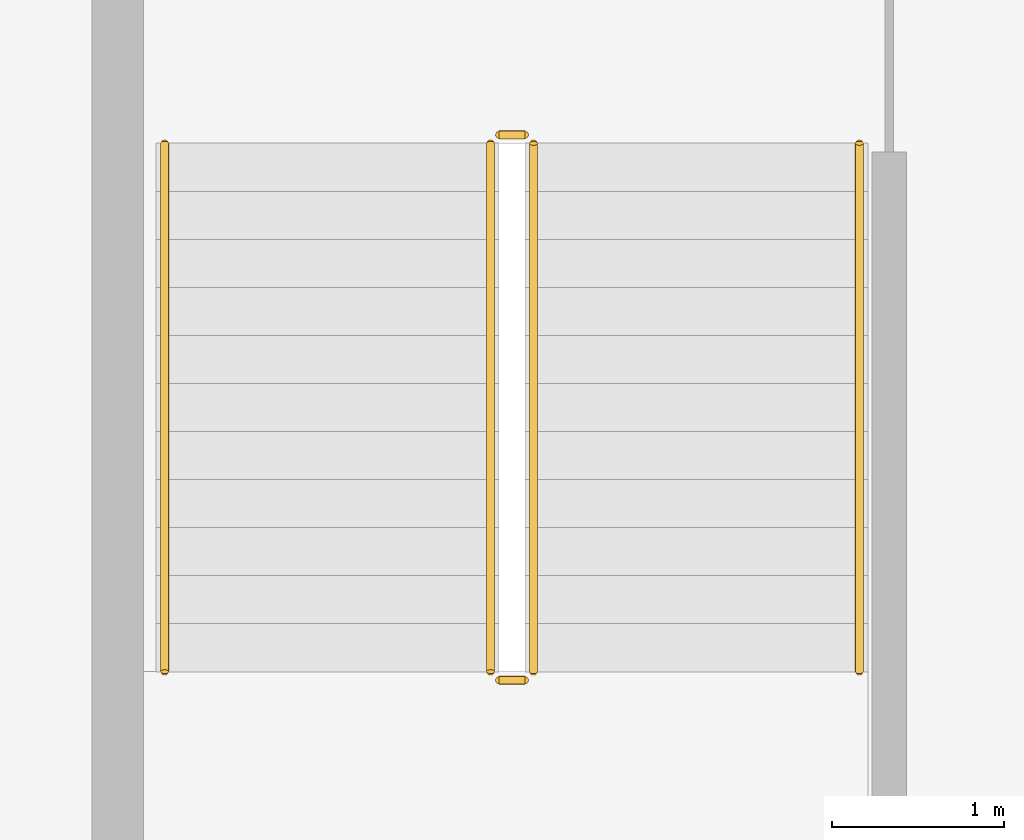
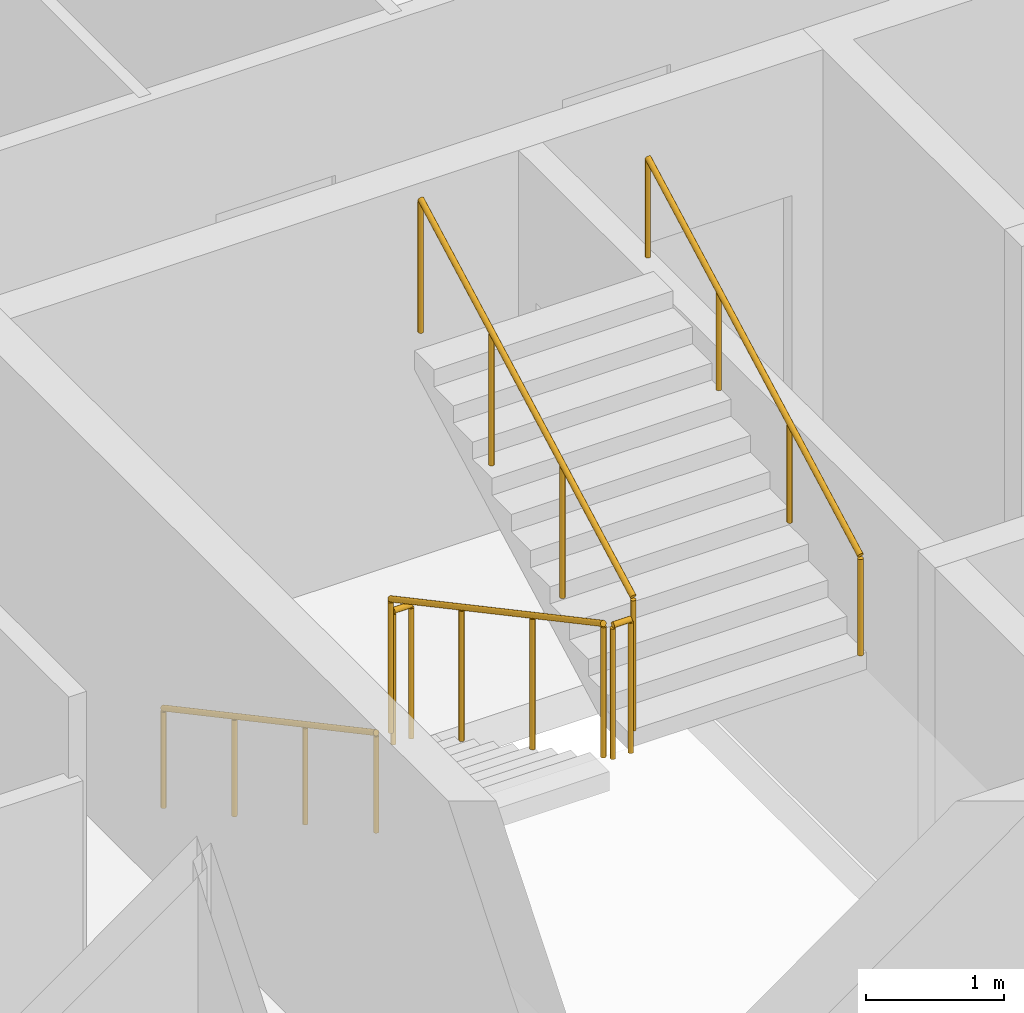
# One storey, part 15 of 17: 6 railings.
"""IFC4 building model written with IfcOpenShell, lengths in metres."""

from ifc_helpers import new_model, si_unit, direction, frame, origin, origin_2d, place, context, subcontext, project, spatial, circle, extrude, material, type_object, element, save


model = new_model("IFC4")

# Units and contexts
model_context = context("Model", 3, precision=1e-05, world=origin(), true_north=direction((0.0, 1.0)))
body_context = subcontext(model_context, "Body", "Model", "MODEL_VIEW")
ifc_project = project(units=[si_unit("LENGTHUNIT", "METRE"), si_unit("AREAUNIT", "SQUARE_METRE"), si_unit("VOLUMEUNIT", "CUBIC_METRE"), si_unit("PLANEANGLEUNIT", "RADIAN"), si_unit("MASSUNIT", "GRAM", prefix="KILO")], contexts=[model_context])

# Site, building, storey
site_placement = place(None, origin())
site = spatial("IfcSite", under=ifc_project, at=site_placement, CompositionType="ELEMENT")
building_placement = place(site_placement, origin())
building = spatial("IfcBuilding", under=site, at=building_placement, Name="Caravel Reach Hotel and Residences", CompositionType="ELEMENT")
storey_placement = place(building_placement, frame((0.0, 0.0, 126.0)))
storey = spatial("IfcBuildingStorey", under=building, at=storey_placement, Name="L31", CompositionType="ELEMENT", Elevation=126.0)

# Railings
ifc_material_1 = material(Name="Steel balustrade with glass infill", Category="steel")
railing_type_1 = type_object("IfcRailingType", Name="Guard 1200", PredefinedType="GUARDRAIL", material=ifc_material_1)
railing_1_placement = place(storey_placement, frame((20.175048828125, 29.35009765625, 0.14990234375)))
element("IfcRailing", 1, at=railing_1_placement, inside=storey, type_object=railing_type_1, Name="L31 ST-A stair guard 1", PredefinedType="GUARDRAIL", context=body_context, shape_type="SweptSolid", body=[
    extrude(circle(Radius=0.02392578125, at=origin_2d()), frame((0.0, 0.0, 1.17578125), z_axis=(0.0, -0.881467505477, 0.472244678941), x_axis=(1.0, 0.0, 0.0)), (0.0, 0.0, 1.0), 3.494140625),
    extrude(circle(Radius=0.02099609375, at=origin_2d()), origin(), (0.0, 0.0, 1.0), 1.15185546875),
    extrude(circle(Radius=0.02099609375, at=origin_2d()), frame((0.0, -1.026611328125, 0.550048828125)), (0.0, 0.0, 1.0), 1.15185546875),
    extrude(circle(Radius=0.02099609375, at=origin_2d()), frame((0.0, -2.053466796875, 1.10009765625)), (0.0, 0.0, 1.0), 1.15185546875),
    extrude(circle(Radius=0.02099609375, at=origin_2d()), frame((0.0, -3.080078125, 1.650146484375)), (0.0, 0.0, 1.0), 1.15185546875),
])
railing_2_placement = place(storey_placement, frame((20.22509765625, 26.219970703125, 1.800048828125)))
element("IfcRailing", 2, at=railing_2_placement, inside=storey, type_object=railing_type_1, Name="L31 ST-A stair guard 2", PredefinedType="GUARDRAIL", context=body_context, shape_type="SweptSolid", body=[
    extrude(circle(Radius=0.02392578125, at=origin_2d()), frame((0.0, 0.0, 1.17578125), z_axis=(1.0, 0.0, 0.0), x_axis=(0.0, 1.0, 0.0)), (0.0, 0.0, 1.0), 0.14990234375),
    extrude(circle(Radius=0.02099609375, at=origin_2d()), origin(), (0.0, 0.0, 1.0), 1.15185546875),
    extrude(circle(Radius=0.02099609375, at=origin_2d()), frame((0.14990234375, 0.0, 0.0)), (0.0, 0.0, 1.0), 1.15185546875),
])
railing_3_placement = place(storey_placement, frame((20.425048828125, 26.27001953125, 1.949951171875)))
element("IfcRailing", 3, at=railing_3_placement, inside=storey, type_object=railing_type_1, Name="L31 ST-A stair guard 3", PredefinedType="GUARDRAIL", context=body_context, shape_type="SweptSolid", body=[
    extrude(circle(Radius=0.02392578125, at=origin_2d()), frame((0.0, 0.0, 1.17578125), z_axis=(0.0, 0.881467505477, 0.472244678941), x_axis=(-1.0, 0.0, 0.0)), (0.0, 0.0, 1.0), 3.494140625),
    extrude(circle(Radius=0.02099609375, at=origin_2d()), origin(), (0.0, 0.0, 1.0), 1.15185546875),
    extrude(circle(Radius=0.02099609375, at=origin_2d()), frame((0.0, 1.026611328125, 0.550048828125)), (0.0, 0.0, 1.0), 1.15185546875),
    extrude(circle(Radius=0.02099609375, at=origin_2d()), frame((0.0, 2.053466796875, 1.10009765625)), (0.0, 0.0, 1.0), 1.15185546875),
    extrude(circle(Radius=0.02099609375, at=origin_2d()), frame((0.0, 3.080078125, 1.650146484375)), (0.0, 0.0, 1.0), 1.15185546875),
])
railing_4_placement = place(storey_placement, frame((20.22509765625, 29.39990234375, 0.0)))
element("IfcRailing", 4, at=railing_4_placement, inside=storey, type_object=railing_type_1, Name="L31 ST-A stair guard 4", PredefinedType="GUARDRAIL", context=body_context, shape_type="SweptSolid", body=[
    extrude(circle(Radius=0.02392578125, at=origin_2d()), frame((0.0, 0.0, 1.17578125), z_axis=(1.0, 0.0, 0.0), x_axis=(0.0, 1.0, 0.0)), (0.0, 0.0, 1.0), 0.14990234375),
    extrude(circle(Radius=0.02099609375, at=origin_2d()), origin(), (0.0, 0.0, 1.0), 1.15185546875),
    extrude(circle(Radius=0.02099609375, at=origin_2d()), frame((0.14990234375, 0.0, 0.0)), (0.0, 0.0, 1.0), 1.15185546875),
])
ifc_material_2 = material(Name="Stainless steel handrail", Category="steel")
railing_type_2 = type_object("IfcRailingType", Name="Handrail 900", PredefinedType="HANDRAIL", material=ifc_material_2)
railing_5_placement = place(storey_placement, frame((18.27490234375, 29.35009765625, 0.14990234375)))
element("IfcRailing", 5, at=railing_5_placement, inside=storey, type_object=railing_type_2, Name="L31 ST-A stair handrail 1", PredefinedType="HANDRAIL", context=body_context, shape_type="SweptSolid", body=[
    extrude(circle(Radius=0.02392578125, at=origin_2d()), frame((0.0, 0.0, 0.8759765625), z_axis=(0.0, -0.881467505477, 0.472244678941), x_axis=(1.0, 0.0, 0.0)), (0.0, 0.0, 1.0), 3.494140625),
    extrude(circle(Radius=0.02099609375, at=origin_2d()), origin(), (0.0, 0.0, 1.0), 0.851806640625),
    extrude(circle(Radius=0.02099609375, at=origin_2d()), frame((0.0, -1.026611328125, 0.550048828125)), (0.0, 0.0, 1.0), 0.851806640625),
    extrude(circle(Radius=0.02099609375, at=origin_2d()), frame((0.0, -2.053466796875, 1.10009765625)), (0.0, 0.0, 1.0), 0.851806640625),
    extrude(circle(Radius=0.02099609375, at=origin_2d()), frame((0.0, -3.080078125, 1.650146484375)), (0.0, 0.0, 1.0), 0.851806640625),
])
railing_6_placement = place(storey_placement, frame((22.324951171875, 26.27001953125, 1.949951171875)))
element("IfcRailing", 6, at=railing_6_placement, inside=storey, type_object=railing_type_2, Name="L31 ST-A stair handrail 2", PredefinedType="HANDRAIL", context=body_context, shape_type="SweptSolid", body=[
    extrude(circle(Radius=0.02392578125, at=origin_2d()), frame((0.0, 0.0, 0.8759765625), z_axis=(0.0, 0.881467505477, 0.472244678941), x_axis=(-1.0, 0.0, 0.0)), (0.0, 0.0, 1.0), 3.494140625),
    extrude(circle(Radius=0.02099609375, at=origin_2d()), origin(), (0.0, 0.0, 1.0), 0.851806640625),
    extrude(circle(Radius=0.02099609375, at=origin_2d()), frame((0.0, 1.026611328125, 0.550048828125)), (0.0, 0.0, 1.0), 0.851806640625),
    extrude(circle(Radius=0.02099609375, at=origin_2d()), frame((0.0, 2.053466796875, 1.10009765625)), (0.0, 0.0, 1.0), 0.851806640625),
    extrude(circle(Radius=0.02099609375, at=origin_2d()), frame((0.0, 3.080078125, 1.650146484375)), (0.0, 0.0, 1.0), 0.851806640625),
])

save(model, "model.ifc")
